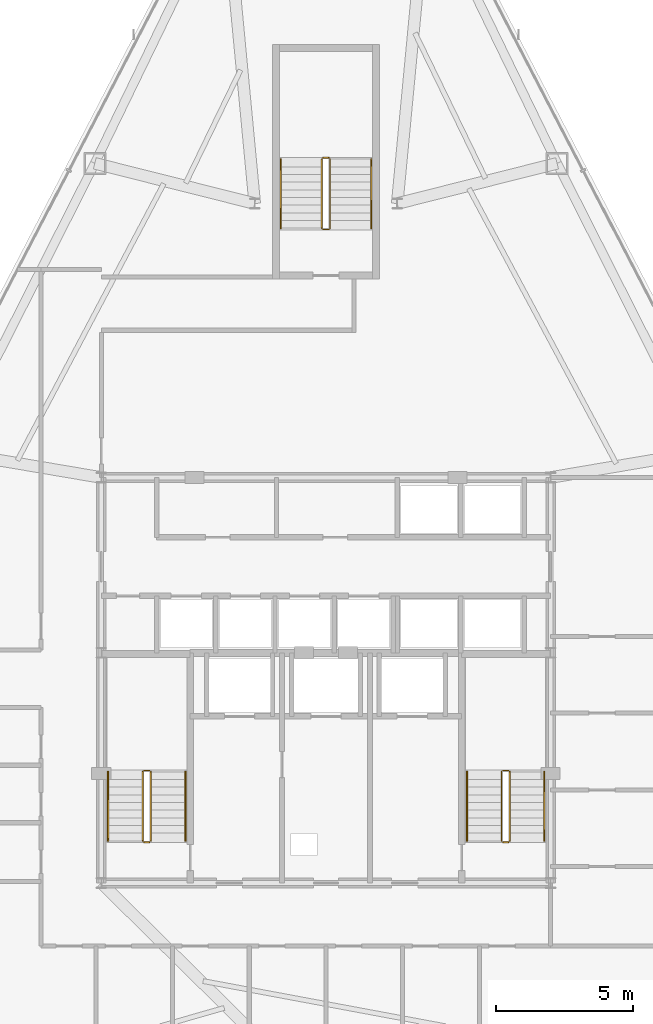
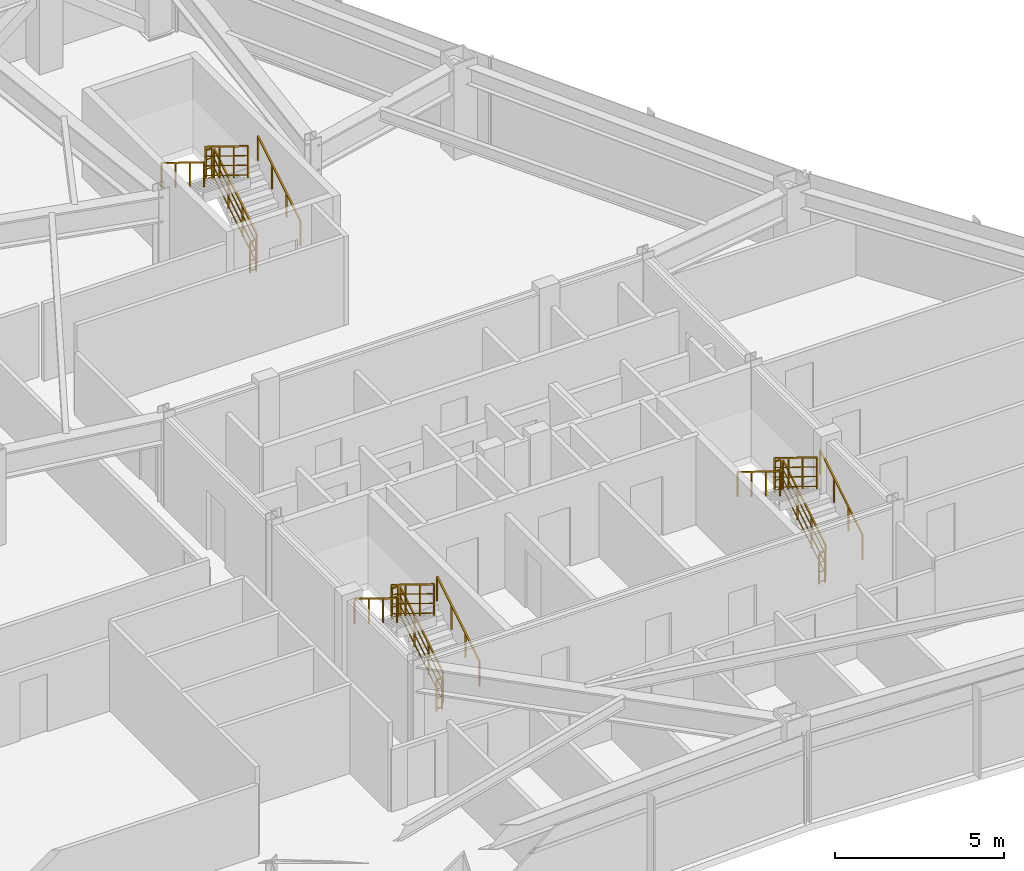
# One storey, part 13 of 13: 18 railings.
"""IFC4 building model written with IfcOpenShell, lengths in metres."""

from ifc_helpers import new_model, si_unit, direction, frame, origin, origin_2d, place, context, subcontext, project, spatial, rectangle, extrude, material, type_object, element, save


model = new_model("IFC4")

# Units and contexts
model_context = context("Model", 3, precision=1e-05, world=origin(), true_north=direction((0.0, 1.0)))
body_context = subcontext(model_context, "Body", "Model", "MODEL_VIEW")
ifc_project = project(units=[si_unit("LENGTHUNIT", "METRE"), si_unit("AREAUNIT", "SQUARE_METRE"), si_unit("VOLUMEUNIT", "CUBIC_METRE"), si_unit("PLANEANGLEUNIT", "RADIAN"), si_unit("MASSUNIT", "GRAM", prefix="KILO")], contexts=[model_context])

# Site, building, storey
site_placement = place(None, origin())
site = spatial("IfcSite", under=ifc_project, at=site_placement, CompositionType="ELEMENT")
building_placement = place(site_placement, origin())
building = spatial("IfcBuilding", under=site, at=building_placement, Name="Varakhsha Concourse Tower", CompositionType="ELEMENT")
storey_placement = place(building_placement, frame((0.0, 0.0, 182.699951171875)))
storey = spatial("IfcBuildingStorey", under=building, at=storey_placement, Name="L52", CompositionType="ELEMENT", Elevation=182.699951171875)

# Railings
ifc_material = material(Name="Brushed Austenitic Stainless Steel AISI 316", Category="steel")
railing_type_1 = type_object("IfcRailingType", Name="RL-STAIR-GUARD-1100", PredefinedType="GUARDRAIL", material=ifc_material)
railing_1_placement = place(storey_placement, frame((33.610107421875, 17.93994140625, 0.172607421875)))
element("IfcRailing", 1, at=railing_1_placement, inside=storey, type_object=railing_type_1, Name="L52 ST1 stair guard 1", PredefinedType="GUARDRAIL", context=body_context, shape_type="SweptSolid", body=[
    extrude(rectangle(XDim=0.048095703125, YDim=0.048095703125, at=origin_2d()), frame((0.0, 0.0, 1.1259765625), z_axis=(0.0, 0.851400495292, 0.524516154772), x_axis=(-1.0, 0.0, 0.0)), (0.0, 0.0, 1.0), 2.9599609375),
    extrude(rectangle(XDim=0.028076171875, YDim=0.028076171875, at=origin_2d()), frame((0.0, 0.0, 0.080078125), z_axis=(0.0, 0.851400495292, 0.524516154772), x_axis=(-1.0, 0.0, 0.0)), (0.0, 0.0, 1.0), 2.9599609375),
    extrude(rectangle(XDim=0.028076171875, YDim=0.028076171875, at=origin_2d()), frame((0.0, 0.0, 0.43701171875), z_axis=(0.0, 0.851400495292, 0.524516154772), x_axis=(-1.0, 0.0, 0.0)), (0.0, 0.0, 1.0), 2.9599609375),
    extrude(rectangle(XDim=0.028076171875, YDim=0.028076171875, at=origin_2d()), frame((0.0, 0.0, 0.781982421875), z_axis=(0.0, 0.851400495292, 0.524516154772), x_axis=(-1.0, 0.0, 0.0)), (0.0, 0.0, 1.0), 2.9599609375),
    extrude(rectangle(XDim=0.0419921875, YDim=0.0419921875, at=origin_2d()), origin(), (0.0, 0.0, 1.0), 1.101806640625),
    extrude(rectangle(XDim=0.0419921875, YDim=0.0419921875, at=origin_2d()), frame((0.0, 0.840087890625, 0.517578125)), (0.0, 0.0, 1.0), 1.101806640625),
    extrude(rectangle(XDim=0.0419921875, YDim=0.0419921875, at=origin_2d()), frame((0.0, 1.679931640625, 1.034912109375)), (0.0, 0.0, 1.0), 1.101806640625),
    extrude(rectangle(XDim=0.0419921875, YDim=0.0419921875, at=origin_2d()), frame((0.0, 2.52001953125, 1.552490234375)), (0.0, 0.0, 1.0), 1.101806640625),
])
railing_2_placement = place(storey_placement, frame((33.56005859375, 20.510009765625, 1.72509765625)))
element("IfcRailing", 2, at=railing_2_placement, inside=storey, type_object=railing_type_1, Name="L52 ST1 stair guard 2", PredefinedType="GUARDRAIL", context=body_context, shape_type="SweptSolid", body=[
    extrude(rectangle(XDim=0.048095703125, YDim=0.048095703125, at=origin_2d()), frame((0.0, 0.0, 1.1259765625), z_axis=(-1.0, 0.0, 0.0), x_axis=(0.0, -1.0, 0.0)), (0.0, 0.0, 1.0), 0.199951171875),
    extrude(rectangle(XDim=0.028076171875, YDim=0.028076171875, at=origin_2d()), frame((0.0, 0.0, 0.080078125), z_axis=(-1.0, 0.0, 0.0), x_axis=(0.0, -1.0, 0.0)), (0.0, 0.0, 1.0), 0.199951171875),
    extrude(rectangle(XDim=0.028076171875, YDim=0.028076171875, at=origin_2d()), frame((0.0, 0.0, 0.43701171875), z_axis=(-1.0, 0.0, 0.0), x_axis=(0.0, -1.0, 0.0)), (0.0, 0.0, 1.0), 0.199951171875),
    extrude(rectangle(XDim=0.028076171875, YDim=0.028076171875, at=origin_2d()), frame((0.0, 0.0, 0.781982421875), z_axis=(-1.0, 0.0, 0.0), x_axis=(0.0, -1.0, 0.0)), (0.0, 0.0, 1.0), 0.199951171875),
    extrude(rectangle(XDim=0.0419921875, YDim=0.0419921875, at=origin_2d()), origin(), (0.0, 0.0, 1.0), 1.101806640625),
    extrude(rectangle(XDim=0.0419921875, YDim=0.0419921875, at=origin_2d()), frame((-0.199951171875, 0.0, 0.0)), (0.0, 0.0, 1.0), 1.101806640625),
])
railing_3_placement = place(storey_placement, frame((33.31005859375, 20.4599609375, 1.8974609375)))
element("IfcRailing", 3, at=railing_3_placement, inside=storey, type_object=railing_type_1, Name="L52 ST1 stair guard 3", PredefinedType="GUARDRAIL", context=body_context, shape_type="SweptSolid", body=[
    extrude(rectangle(XDim=0.048095703125, YDim=0.048095703125, at=origin_2d()), frame((0.0, 0.0, 1.1259765625), z_axis=(0.0, -0.851400495292, 0.524516154772), x_axis=(1.0, 0.0, 0.0)), (0.0, 0.0, 1.0), 2.9599609375),
    extrude(rectangle(XDim=0.028076171875, YDim=0.028076171875, at=origin_2d()), frame((0.0, 0.0, 0.080078125), z_axis=(0.0, -0.851400495292, 0.524516154772), x_axis=(1.0, 0.0, 0.0)), (0.0, 0.0, 1.0), 2.9599609375),
    extrude(rectangle(XDim=0.028076171875, YDim=0.028076171875, at=origin_2d()), frame((0.0, 0.0, 0.43701171875), z_axis=(0.0, -0.851400495292, 0.524516154772), x_axis=(1.0, 0.0, 0.0)), (0.0, 0.0, 1.0), 2.9599609375),
    extrude(rectangle(XDim=0.028076171875, YDim=0.028076171875, at=origin_2d()), frame((0.0, 0.0, 0.781982421875), z_axis=(0.0, -0.851400495292, 0.524516154772), x_axis=(1.0, 0.0, 0.0)), (0.0, 0.0, 1.0), 2.9599609375),
    extrude(rectangle(XDim=0.0419921875, YDim=0.0419921875, at=origin_2d()), origin(), (0.0, 0.0, 1.0), 1.101806640625),
    extrude(rectangle(XDim=0.0419921875, YDim=0.0419921875, at=origin_2d()), frame((0.0, -0.840087890625, 0.517578125)), (0.0, 0.0, 1.0), 1.101806640625),
    extrude(rectangle(XDim=0.0419921875, YDim=0.0419921875, at=origin_2d()), frame((0.0, -1.679931640625, 1.034912109375)), (0.0, 0.0, 1.0), 1.101806640625),
    extrude(rectangle(XDim=0.0419921875, YDim=0.0419921875, at=origin_2d()), frame((0.0, -2.52001953125, 1.552490234375)), (0.0, 0.0, 1.0), 1.101806640625),
])
railing_4_placement = place(storey_placement, frame((33.56005859375, 17.889892578125, 0.0)))
element("IfcRailing", 4, at=railing_4_placement, inside=storey, type_object=railing_type_1, Name="L52 ST1 stair guard 4", PredefinedType="GUARDRAIL", context=body_context, shape_type="SweptSolid", body=[
    extrude(rectangle(XDim=0.048095703125, YDim=0.048095703125, at=origin_2d()), frame((0.0, 0.0, 1.1259765625), z_axis=(-1.0, 0.0, 0.0), x_axis=(0.0, -1.0, 0.0)), (0.0, 0.0, 1.0), 0.199951171875),
    extrude(rectangle(XDim=0.028076171875, YDim=0.028076171875, at=origin_2d()), frame((0.0, 0.0, 0.080078125), z_axis=(-1.0, 0.0, 0.0), x_axis=(0.0, -1.0, 0.0)), (0.0, 0.0, 1.0), 0.199951171875),
    extrude(rectangle(XDim=0.028076171875, YDim=0.028076171875, at=origin_2d()), frame((0.0, 0.0, 0.43701171875), z_axis=(-1.0, 0.0, 0.0), x_axis=(0.0, -1.0, 0.0)), (0.0, 0.0, 1.0), 0.199951171875),
    extrude(rectangle(XDim=0.028076171875, YDim=0.028076171875, at=origin_2d()), frame((0.0, 0.0, 0.781982421875), z_axis=(-1.0, 0.0, 0.0), x_axis=(0.0, -1.0, 0.0)), (0.0, 0.0, 1.0), 0.199951171875),
    extrude(rectangle(XDim=0.0419921875, YDim=0.0419921875, at=origin_2d()), origin(), (0.0, 0.0, 1.0), 1.101806640625),
    extrude(rectangle(XDim=0.0419921875, YDim=0.0419921875, at=origin_2d()), frame((-0.199951171875, 0.0, 0.0)), (0.0, 0.0, 1.0), 1.101806640625),
])
railing_5_placement = place(storey_placement, frame((46.7099609375, 17.93994140625, 0.172607421875)))
element("IfcRailing", 5, at=railing_5_placement, inside=storey, type_object=railing_type_1, Name="L52 ST2 stair guard 1", PredefinedType="GUARDRAIL", context=body_context, shape_type="SweptSolid", body=[
    extrude(rectangle(XDim=0.048095703125, YDim=0.048095703125, at=origin_2d()), frame((0.0, 0.0, 1.1259765625), z_axis=(0.0, 0.851400495292, 0.524516154772), x_axis=(-1.0, 0.0, 0.0)), (0.0, 0.0, 1.0), 2.9599609375),
    extrude(rectangle(XDim=0.028076171875, YDim=0.028076171875, at=origin_2d()), frame((0.0, 0.0, 0.080078125), z_axis=(0.0, 0.851400495292, 0.524516154772), x_axis=(-1.0, 0.0, 0.0)), (0.0, 0.0, 1.0), 2.9599609375),
    extrude(rectangle(XDim=0.028076171875, YDim=0.028076171875, at=origin_2d()), frame((0.0, 0.0, 0.43701171875), z_axis=(0.0, 0.851400495292, 0.524516154772), x_axis=(-1.0, 0.0, 0.0)), (0.0, 0.0, 1.0), 2.9599609375),
    extrude(rectangle(XDim=0.028076171875, YDim=0.028076171875, at=origin_2d()), frame((0.0, 0.0, 0.781982421875), z_axis=(0.0, 0.851400495292, 0.524516154772), x_axis=(-1.0, 0.0, 0.0)), (0.0, 0.0, 1.0), 2.9599609375),
    extrude(rectangle(XDim=0.0419921875, YDim=0.0419921875, at=origin_2d()), origin(), (0.0, 0.0, 1.0), 1.101806640625),
    extrude(rectangle(XDim=0.0419921875, YDim=0.0419921875, at=origin_2d()), frame((0.0, 0.840087890625, 0.517578125)), (0.0, 0.0, 1.0), 1.101806640625),
    extrude(rectangle(XDim=0.0419921875, YDim=0.0419921875, at=origin_2d()), frame((0.0, 1.679931640625, 1.034912109375)), (0.0, 0.0, 1.0), 1.101806640625),
    extrude(rectangle(XDim=0.0419921875, YDim=0.0419921875, at=origin_2d()), frame((0.0, 2.52001953125, 1.552490234375)), (0.0, 0.0, 1.0), 1.101806640625),
])
railing_6_placement = place(storey_placement, frame((46.659912109375, 20.510009765625, 1.72509765625)))
element("IfcRailing", 6, at=railing_6_placement, inside=storey, type_object=railing_type_1, Name="L52 ST2 stair guard 2", PredefinedType="GUARDRAIL", context=body_context, shape_type="SweptSolid", body=[
    extrude(rectangle(XDim=0.048095703125, YDim=0.048095703125, at=origin_2d()), frame((0.0, 0.0, 1.1259765625), z_axis=(-1.0, 0.0, 0.0), x_axis=(0.0, -1.0, 0.0)), (0.0, 0.0, 1.0), 0.199951171875),
    extrude(rectangle(XDim=0.028076171875, YDim=0.028076171875, at=origin_2d()), frame((0.0, 0.0, 0.080078125), z_axis=(-1.0, 0.0, 0.0), x_axis=(0.0, -1.0, 0.0)), (0.0, 0.0, 1.0), 0.199951171875),
    extrude(rectangle(XDim=0.028076171875, YDim=0.028076171875, at=origin_2d()), frame((0.0, 0.0, 0.43701171875), z_axis=(-1.0, 0.0, 0.0), x_axis=(0.0, -1.0, 0.0)), (0.0, 0.0, 1.0), 0.199951171875),
    extrude(rectangle(XDim=0.028076171875, YDim=0.028076171875, at=origin_2d()), frame((0.0, 0.0, 0.781982421875), z_axis=(-1.0, 0.0, 0.0), x_axis=(0.0, -1.0, 0.0)), (0.0, 0.0, 1.0), 0.199951171875),
    extrude(rectangle(XDim=0.0419921875, YDim=0.0419921875, at=origin_2d()), origin(), (0.0, 0.0, 1.0), 1.101806640625),
    extrude(rectangle(XDim=0.0419921875, YDim=0.0419921875, at=origin_2d()), frame((-0.199951171875, 0.0, 0.0)), (0.0, 0.0, 1.0), 1.101806640625),
])
railing_7_placement = place(storey_placement, frame((46.409912109375, 20.4599609375, 1.8974609375)))
element("IfcRailing", 7, at=railing_7_placement, inside=storey, type_object=railing_type_1, Name="L52 ST2 stair guard 3", PredefinedType="GUARDRAIL", context=body_context, shape_type="SweptSolid", body=[
    extrude(rectangle(XDim=0.048095703125, YDim=0.048095703125, at=origin_2d()), frame((0.0, 0.0, 1.1259765625), z_axis=(0.0, -0.851400495292, 0.524516154772), x_axis=(1.0, 0.0, 0.0)), (0.0, 0.0, 1.0), 2.9599609375),
    extrude(rectangle(XDim=0.028076171875, YDim=0.028076171875, at=origin_2d()), frame((0.0, 0.0, 0.080078125), z_axis=(0.0, -0.851400495292, 0.524516154772), x_axis=(1.0, 0.0, 0.0)), (0.0, 0.0, 1.0), 2.9599609375),
    extrude(rectangle(XDim=0.028076171875, YDim=0.028076171875, at=origin_2d()), frame((0.0, 0.0, 0.43701171875), z_axis=(0.0, -0.851400495292, 0.524516154772), x_axis=(1.0, 0.0, 0.0)), (0.0, 0.0, 1.0), 2.9599609375),
    extrude(rectangle(XDim=0.028076171875, YDim=0.028076171875, at=origin_2d()), frame((0.0, 0.0, 0.781982421875), z_axis=(0.0, -0.851400495292, 0.524516154772), x_axis=(1.0, 0.0, 0.0)), (0.0, 0.0, 1.0), 2.9599609375),
    extrude(rectangle(XDim=0.0419921875, YDim=0.0419921875, at=origin_2d()), origin(), (0.0, 0.0, 1.0), 1.101806640625),
    extrude(rectangle(XDim=0.0419921875, YDim=0.0419921875, at=origin_2d()), frame((0.0, -0.840087890625, 0.517578125)), (0.0, 0.0, 1.0), 1.101806640625),
    extrude(rectangle(XDim=0.0419921875, YDim=0.0419921875, at=origin_2d()), frame((0.0, -1.679931640625, 1.034912109375)), (0.0, 0.0, 1.0), 1.101806640625),
    extrude(rectangle(XDim=0.0419921875, YDim=0.0419921875, at=origin_2d()), frame((0.0, -2.52001953125, 1.552490234375)), (0.0, 0.0, 1.0), 1.101806640625),
])
railing_8_placement = place(storey_placement, frame((46.659912109375, 17.889892578125, 0.0)))
element("IfcRailing", 8, at=railing_8_placement, inside=storey, type_object=railing_type_1, Name="L52 ST2 stair guard 4", PredefinedType="GUARDRAIL", context=body_context, shape_type="SweptSolid", body=[
    extrude(rectangle(XDim=0.048095703125, YDim=0.048095703125, at=origin_2d()), frame((0.0, 0.0, 1.1259765625), z_axis=(-1.0, 0.0, 0.0), x_axis=(0.0, -1.0, 0.0)), (0.0, 0.0, 1.0), 0.199951171875),
    extrude(rectangle(XDim=0.028076171875, YDim=0.028076171875, at=origin_2d()), frame((0.0, 0.0, 0.080078125), z_axis=(-1.0, 0.0, 0.0), x_axis=(0.0, -1.0, 0.0)), (0.0, 0.0, 1.0), 0.199951171875),
    extrude(rectangle(XDim=0.028076171875, YDim=0.028076171875, at=origin_2d()), frame((0.0, 0.0, 0.43701171875), z_axis=(-1.0, 0.0, 0.0), x_axis=(0.0, -1.0, 0.0)), (0.0, 0.0, 1.0), 0.199951171875),
    extrude(rectangle(XDim=0.028076171875, YDim=0.028076171875, at=origin_2d()), frame((0.0, 0.0, 0.781982421875), z_axis=(-1.0, 0.0, 0.0), x_axis=(0.0, -1.0, 0.0)), (0.0, 0.0, 1.0), 0.199951171875),
    extrude(rectangle(XDim=0.0419921875, YDim=0.0419921875, at=origin_2d()), origin(), (0.0, 0.0, 1.0), 1.101806640625),
    extrude(rectangle(XDim=0.0419921875, YDim=0.0419921875, at=origin_2d()), frame((-0.199951171875, 0.0, 0.0)), (0.0, 0.0, 1.0), 1.101806640625),
])
railing_9_placement = place(storey_placement, frame((40.14990234375, 40.300048828125, 0.172607421875)))
element("IfcRailing", 9, at=railing_9_placement, inside=storey, type_object=railing_type_1, Name="L52 ST5 stair guard 1", PredefinedType="GUARDRAIL", context=body_context, shape_type="SweptSolid", body=[
    extrude(rectangle(XDim=0.048095703125, YDim=0.048095703125, at=origin_2d()), frame((0.0, 0.0, 1.1259765625), z_axis=(0.0, 0.851400495292, 0.524516154772), x_axis=(-1.0, 0.0, 0.0)), (0.0, 0.0, 1.0), 2.9599609375),
    extrude(rectangle(XDim=0.028076171875, YDim=0.028076171875, at=origin_2d()), frame((0.0, 0.0, 0.080078125), z_axis=(0.0, 0.851400495292, 0.524516154772), x_axis=(-1.0, 0.0, 0.0)), (0.0, 0.0, 1.0), 2.9599609375),
    extrude(rectangle(XDim=0.028076171875, YDim=0.028076171875, at=origin_2d()), frame((0.0, 0.0, 0.43701171875), z_axis=(0.0, 0.851400495292, 0.524516154772), x_axis=(-1.0, 0.0, 0.0)), (0.0, 0.0, 1.0), 2.9599609375),
    extrude(rectangle(XDim=0.028076171875, YDim=0.028076171875, at=origin_2d()), frame((0.0, 0.0, 0.781982421875), z_axis=(0.0, 0.851400495292, 0.524516154772), x_axis=(-1.0, 0.0, 0.0)), (0.0, 0.0, 1.0), 2.9599609375),
    extrude(rectangle(XDim=0.0419921875, YDim=0.0419921875, at=origin_2d()), origin(), (0.0, 0.0, 1.0), 1.101806640625),
    extrude(rectangle(XDim=0.0419921875, YDim=0.0419921875, at=origin_2d()), frame((0.0, 0.840087890625, 0.517578125)), (0.0, 0.0, 1.0), 1.101806640625),
    extrude(rectangle(XDim=0.0419921875, YDim=0.0419921875, at=origin_2d()), frame((0.0, 1.679931640625, 1.034912109375)), (0.0, 0.0, 1.0), 1.101806640625),
    extrude(rectangle(XDim=0.0419921875, YDim=0.0419921875, at=origin_2d()), frame((0.0, 2.52001953125, 1.552490234375)), (0.0, 0.0, 1.0), 1.101806640625),
])
railing_10_placement = place(storey_placement, frame((40.10009765625, 42.8701171875, 1.72509765625)))
element("IfcRailing", 10, at=railing_10_placement, inside=storey, type_object=railing_type_1, Name="L52 ST5 stair guard 2", PredefinedType="GUARDRAIL", context=body_context, shape_type="SweptSolid", body=[
    extrude(rectangle(XDim=0.048095703125, YDim=0.048095703125, at=origin_2d()), frame((0.0, 0.0, 1.1259765625), z_axis=(-1.0, 0.0, 0.0), x_axis=(0.0, -1.0, 0.0)), (0.0, 0.0, 1.0), 0.2001953125),
    extrude(rectangle(XDim=0.028076171875, YDim=0.028076171875, at=origin_2d()), frame((0.0, 0.0, 0.080078125), z_axis=(-1.0, 0.0, 0.0), x_axis=(0.0, -1.0, 0.0)), (0.0, 0.0, 1.0), 0.2001953125),
    extrude(rectangle(XDim=0.028076171875, YDim=0.028076171875, at=origin_2d()), frame((0.0, 0.0, 0.43701171875), z_axis=(-1.0, 0.0, 0.0), x_axis=(0.0, -1.0, 0.0)), (0.0, 0.0, 1.0), 0.2001953125),
    extrude(rectangle(XDim=0.028076171875, YDim=0.028076171875, at=origin_2d()), frame((0.0, 0.0, 0.781982421875), z_axis=(-1.0, 0.0, 0.0), x_axis=(0.0, -1.0, 0.0)), (0.0, 0.0, 1.0), 0.2001953125),
    extrude(rectangle(XDim=0.0419921875, YDim=0.0419921875, at=origin_2d()), origin(), (0.0, 0.0, 1.0), 1.101806640625),
    extrude(rectangle(XDim=0.0419921875, YDim=0.0419921875, at=origin_2d()), frame((-0.2001953125, 0.0, 0.0)), (0.0, 0.0, 1.0), 1.101806640625),
])
railing_11_placement = place(storey_placement, frame((39.85009765625, 42.820068359375, 1.8974609375)))
element("IfcRailing", 11, at=railing_11_placement, inside=storey, type_object=railing_type_1, Name="L52 ST5 stair guard 3", PredefinedType="GUARDRAIL", context=body_context, shape_type="SweptSolid", body=[
    extrude(rectangle(XDim=0.048095703125, YDim=0.048095703125, at=origin_2d()), frame((0.0, 0.0, 1.1259765625), z_axis=(0.0, -0.851400495292, 0.524516154772), x_axis=(1.0, 0.0, 0.0)), (0.0, 0.0, 1.0), 2.9599609375),
    extrude(rectangle(XDim=0.028076171875, YDim=0.028076171875, at=origin_2d()), frame((0.0, 0.0, 0.080078125), z_axis=(0.0, -0.851400495292, 0.524516154772), x_axis=(1.0, 0.0, 0.0)), (0.0, 0.0, 1.0), 2.9599609375),
    extrude(rectangle(XDim=0.028076171875, YDim=0.028076171875, at=origin_2d()), frame((0.0, 0.0, 0.43701171875), z_axis=(0.0, -0.851400495292, 0.524516154772), x_axis=(1.0, 0.0, 0.0)), (0.0, 0.0, 1.0), 2.9599609375),
    extrude(rectangle(XDim=0.028076171875, YDim=0.028076171875, at=origin_2d()), frame((0.0, 0.0, 0.781982421875), z_axis=(0.0, -0.851400495292, 0.524516154772), x_axis=(1.0, 0.0, 0.0)), (0.0, 0.0, 1.0), 2.9599609375),
    extrude(rectangle(XDim=0.0419921875, YDim=0.0419921875, at=origin_2d()), origin(), (0.0, 0.0, 1.0), 1.101806640625),
    extrude(rectangle(XDim=0.0419921875, YDim=0.0419921875, at=origin_2d()), frame((0.0, -0.840087890625, 0.517578125)), (0.0, 0.0, 1.0), 1.101806640625),
    extrude(rectangle(XDim=0.0419921875, YDim=0.0419921875, at=origin_2d()), frame((0.0, -1.679931640625, 1.034912109375)), (0.0, 0.0, 1.0), 1.101806640625),
    extrude(rectangle(XDim=0.0419921875, YDim=0.0419921875, at=origin_2d()), frame((0.0, -2.52001953125, 1.552490234375)), (0.0, 0.0, 1.0), 1.101806640625),
])
railing_12_placement = place(storey_placement, frame((40.10009765625, 40.25, 0.0)))
element("IfcRailing", 12, at=railing_12_placement, inside=storey, type_object=railing_type_1, Name="L52 ST5 stair guard 4", PredefinedType="GUARDRAIL", context=body_context, shape_type="SweptSolid", body=[
    extrude(rectangle(XDim=0.048095703125, YDim=0.048095703125, at=origin_2d()), frame((0.0, 0.0, 1.1259765625), z_axis=(-1.0, 0.0, 0.0), x_axis=(0.0, -1.0, 0.0)), (0.0, 0.0, 1.0), 0.2001953125),
    extrude(rectangle(XDim=0.028076171875, YDim=0.028076171875, at=origin_2d()), frame((0.0, 0.0, 0.080078125), z_axis=(-1.0, 0.0, 0.0), x_axis=(0.0, -1.0, 0.0)), (0.0, 0.0, 1.0), 0.2001953125),
    extrude(rectangle(XDim=0.028076171875, YDim=0.028076171875, at=origin_2d()), frame((0.0, 0.0, 0.43701171875), z_axis=(-1.0, 0.0, 0.0), x_axis=(0.0, -1.0, 0.0)), (0.0, 0.0, 1.0), 0.2001953125),
    extrude(rectangle(XDim=0.028076171875, YDim=0.028076171875, at=origin_2d()), frame((0.0, 0.0, 0.781982421875), z_axis=(-1.0, 0.0, 0.0), x_axis=(0.0, -1.0, 0.0)), (0.0, 0.0, 1.0), 0.2001953125),
    extrude(rectangle(XDim=0.0419921875, YDim=0.0419921875, at=origin_2d()), origin(), (0.0, 0.0, 1.0), 1.101806640625),
    extrude(rectangle(XDim=0.0419921875, YDim=0.0419921875, at=origin_2d()), frame((-0.2001953125, 0.0, 0.0)), (0.0, 0.0, 1.0), 1.101806640625),
])
railing_type_2 = type_object("IfcRailingType", Name="RL-STAIR-RAIL-915", PredefinedType="HANDRAIL", material=ifc_material)
railing_13_placement = place(storey_placement, frame((34.8701171875, 17.93994140625, 0.344970703125)))
element("IfcRailing", 13, at=railing_13_placement, inside=storey, type_object=railing_type_2, Name="L52 ST1 stair handrail 1", PredefinedType="HANDRAIL", context=body_context, shape_type="SweptSolid", body=[
    extrude(rectangle(XDim=0.048095703125, YDim=0.048095703125, at=origin_2d()), frame((0.0, 0.0, 0.89111328125), z_axis=(0.0, 0.851400495292, 0.524516154772), x_axis=(-1.0, 0.0, 0.0)), (0.0, 0.0, 1.0), 2.9599609375),
    extrude(rectangle(XDim=0.0419921875, YDim=0.0419921875, at=origin_2d()), origin(), (0.0, 0.0, 1.0), 0.866943359375),
    extrude(rectangle(XDim=0.0419921875, YDim=0.0419921875, at=origin_2d()), frame((0.0, 0.840087890625, 0.517578125)), (0.0, 0.0, 1.0), 0.866943359375),
    extrude(rectangle(XDim=0.0419921875, YDim=0.0419921875, at=origin_2d()), frame((0.0, 1.679931640625, 1.034912109375)), (0.0, 0.0, 1.0), 0.866943359375),
    extrude(rectangle(XDim=0.0419921875, YDim=0.0419921875, at=origin_2d()), frame((0.0, 2.52001953125, 1.552490234375)), (0.0, 0.0, 1.0), 0.866943359375),
])
railing_14_placement = place(storey_placement, frame((32.050048828125, 20.4599609375, 2.070068359375)))
element("IfcRailing", 14, at=railing_14_placement, inside=storey, type_object=railing_type_2, Name="L52 ST1 stair handrail 2", PredefinedType="HANDRAIL", context=body_context, shape_type="SweptSolid", body=[
    extrude(rectangle(XDim=0.048095703125, YDim=0.048095703125, at=origin_2d()), frame((0.0, 0.0, 0.89111328125), z_axis=(0.0, -0.851400495292, 0.524516154772), x_axis=(1.0, 0.0, 0.0)), (0.0, 0.0, 1.0), 2.9599609375),
    extrude(rectangle(XDim=0.0419921875, YDim=0.0419921875, at=origin_2d()), origin(), (0.0, 0.0, 1.0), 0.866943359375),
    extrude(rectangle(XDim=0.0419921875, YDim=0.0419921875, at=origin_2d()), frame((0.0, -0.840087890625, 0.517578125)), (0.0, 0.0, 1.0), 0.866943359375),
    extrude(rectangle(XDim=0.0419921875, YDim=0.0419921875, at=origin_2d()), frame((0.0, -1.679931640625, 1.034912109375)), (0.0, 0.0, 1.0), 0.866943359375),
    extrude(rectangle(XDim=0.0419921875, YDim=0.0419921875, at=origin_2d()), frame((0.0, -2.52001953125, 1.552490234375)), (0.0, 0.0, 1.0), 0.866943359375),
])
railing_15_placement = place(storey_placement, frame((47.969970703125, 17.93994140625, 0.344970703125)))
element("IfcRailing", 15, at=railing_15_placement, inside=storey, type_object=railing_type_2, Name="L52 ST2 stair handrail 1", PredefinedType="HANDRAIL", context=body_context, shape_type="SweptSolid", body=[
    extrude(rectangle(XDim=0.048095703125, YDim=0.048095703125, at=origin_2d()), frame((0.0, 0.0, 0.89111328125), z_axis=(0.0, 0.851400495292, 0.524516154772), x_axis=(-1.0, 0.0, 0.0)), (0.0, 0.0, 1.0), 2.9599609375),
    extrude(rectangle(XDim=0.0419921875, YDim=0.0419921875, at=origin_2d()), origin(), (0.0, 0.0, 1.0), 0.866943359375),
    extrude(rectangle(XDim=0.0419921875, YDim=0.0419921875, at=origin_2d()), frame((0.0, 0.840087890625, 0.517578125)), (0.0, 0.0, 1.0), 0.866943359375),
    extrude(rectangle(XDim=0.0419921875, YDim=0.0419921875, at=origin_2d()), frame((0.0, 1.679931640625, 1.034912109375)), (0.0, 0.0, 1.0), 0.866943359375),
    extrude(rectangle(XDim=0.0419921875, YDim=0.0419921875, at=origin_2d()), frame((0.0, 2.52001953125, 1.552490234375)), (0.0, 0.0, 1.0), 0.866943359375),
])
railing_16_placement = place(storey_placement, frame((45.14990234375, 20.4599609375, 2.070068359375)))
element("IfcRailing", 16, at=railing_16_placement, inside=storey, type_object=railing_type_2, Name="L52 ST2 stair handrail 2", PredefinedType="HANDRAIL", context=body_context, shape_type="SweptSolid", body=[
    extrude(rectangle(XDim=0.048095703125, YDim=0.048095703125, at=origin_2d()), frame((0.0, 0.0, 0.89111328125), z_axis=(0.0, -0.851400495292, 0.524516154772), x_axis=(1.0, 0.0, 0.0)), (0.0, 0.0, 1.0), 2.9599609375),
    extrude(rectangle(XDim=0.0419921875, YDim=0.0419921875, at=origin_2d()), origin(), (0.0, 0.0, 1.0), 0.866943359375),
    extrude(rectangle(XDim=0.0419921875, YDim=0.0419921875, at=origin_2d()), frame((0.0, -0.840087890625, 0.517578125)), (0.0, 0.0, 1.0), 0.866943359375),
    extrude(rectangle(XDim=0.0419921875, YDim=0.0419921875, at=origin_2d()), frame((0.0, -1.679931640625, 1.034912109375)), (0.0, 0.0, 1.0), 0.866943359375),
    extrude(rectangle(XDim=0.0419921875, YDim=0.0419921875, at=origin_2d()), frame((0.0, -2.52001953125, 1.552490234375)), (0.0, 0.0, 1.0), 0.866943359375),
])
railing_17_placement = place(storey_placement, frame((41.64990234375, 40.300048828125, 0.344970703125)))
element("IfcRailing", 17, at=railing_17_placement, inside=storey, type_object=railing_type_2, Name="L52 ST5 stair handrail 1", PredefinedType="HANDRAIL", context=body_context, shape_type="SweptSolid", body=[
    extrude(rectangle(XDim=0.048095703125, YDim=0.048095703125, at=origin_2d()), frame((0.0, 0.0, 0.89111328125), z_axis=(0.0, 0.851400495292, 0.524516154772), x_axis=(-1.0, 0.0, 0.0)), (0.0, 0.0, 1.0), 2.9599609375),
    extrude(rectangle(XDim=0.0419921875, YDim=0.0419921875, at=origin_2d()), origin(), (0.0, 0.0, 1.0), 0.866943359375),
    extrude(rectangle(XDim=0.0419921875, YDim=0.0419921875, at=origin_2d()), frame((0.0, 0.840087890625, 0.517578125)), (0.0, 0.0, 1.0), 0.866943359375),
    extrude(rectangle(XDim=0.0419921875, YDim=0.0419921875, at=origin_2d()), frame((0.0, 1.679931640625, 1.034912109375)), (0.0, 0.0, 1.0), 0.866943359375),
    extrude(rectangle(XDim=0.0419921875, YDim=0.0419921875, at=origin_2d()), frame((0.0, 2.52001953125, 1.552490234375)), (0.0, 0.0, 1.0), 0.866943359375),
])
railing_18_placement = place(storey_placement, frame((38.35009765625, 42.820068359375, 2.070068359375)))
element("IfcRailing", 18, at=railing_18_placement, inside=storey, type_object=railing_type_2, Name="L52 ST5 stair handrail 2", PredefinedType="HANDRAIL", context=body_context, shape_type="SweptSolid", body=[
    extrude(rectangle(XDim=0.048095703125, YDim=0.048095703125, at=origin_2d()), frame((0.0, 0.0, 0.89111328125), z_axis=(0.0, -0.851400495292, 0.524516154772), x_axis=(1.0, 0.0, 0.0)), (0.0, 0.0, 1.0), 2.9599609375),
    extrude(rectangle(XDim=0.0419921875, YDim=0.0419921875, at=origin_2d()), origin(), (0.0, 0.0, 1.0), 0.866943359375),
    extrude(rectangle(XDim=0.0419921875, YDim=0.0419921875, at=origin_2d()), frame((0.0, -0.840087890625, 0.517578125)), (0.0, 0.0, 1.0), 0.866943359375),
    extrude(rectangle(XDim=0.0419921875, YDim=0.0419921875, at=origin_2d()), frame((0.0, -1.679931640625, 1.034912109375)), (0.0, 0.0, 1.0), 0.866943359375),
    extrude(rectangle(XDim=0.0419921875, YDim=0.0419921875, at=origin_2d()), frame((0.0, -2.52001953125, 1.552490234375)), (0.0, 0.0, 1.0), 0.866943359375),
])

save(model, "model.ifc")
